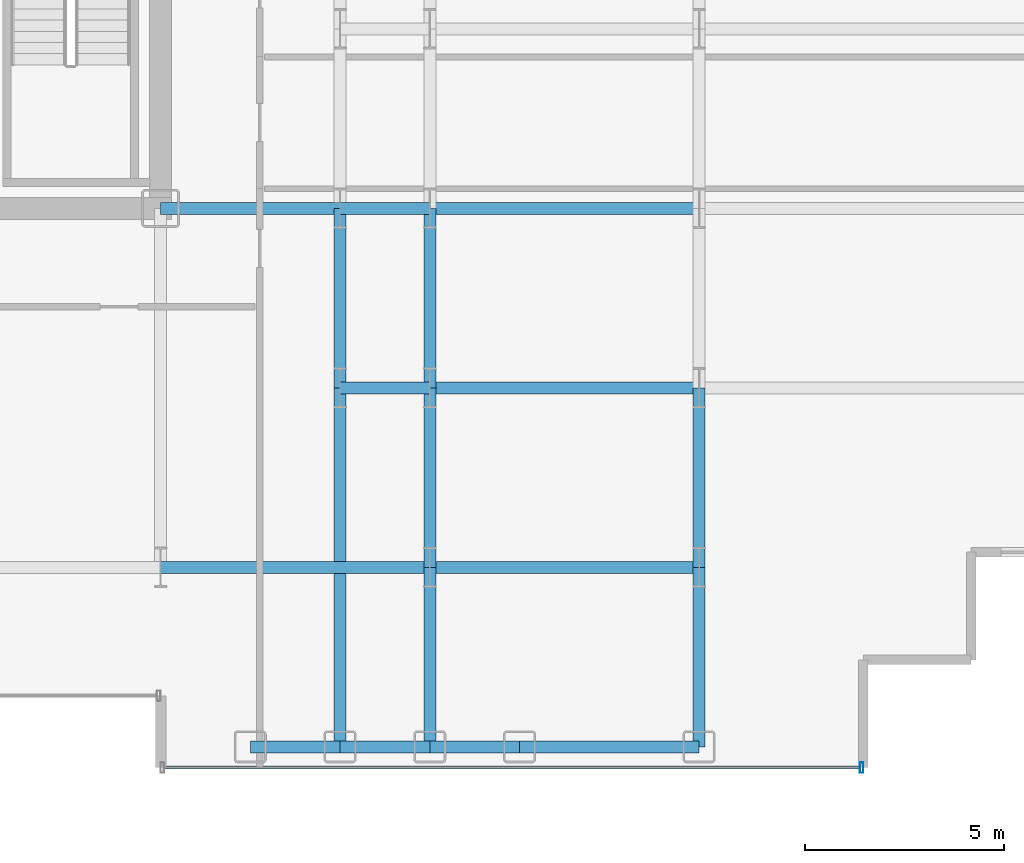
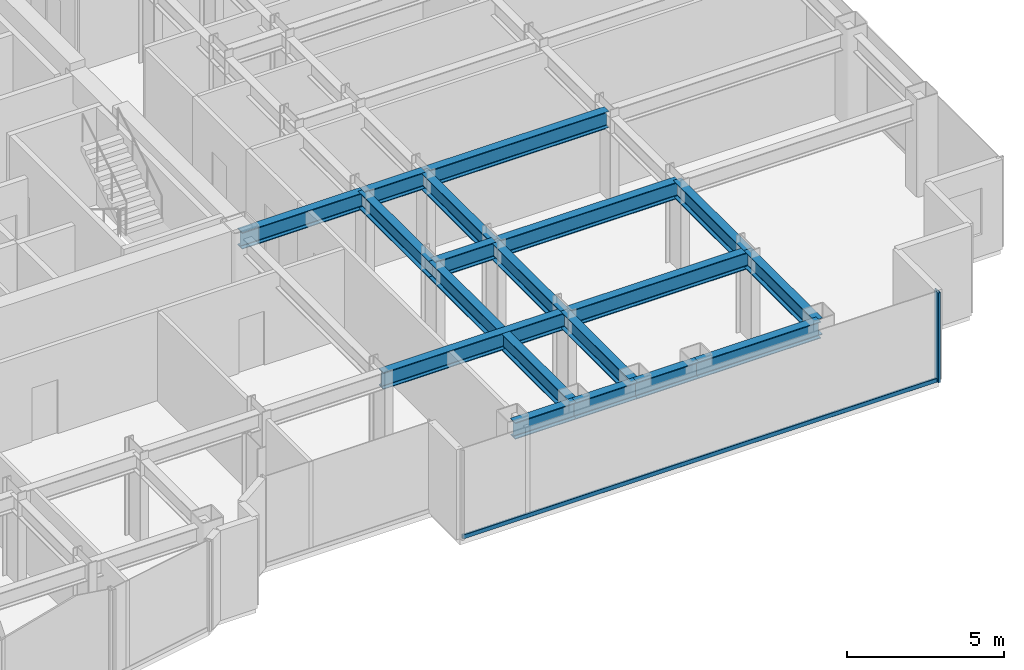
# One storey, part 7 of 26: 18 beams, 2 members, 1 element without a shape of its own.
"""IFC4 building model written with IfcOpenShell, lengths in metres."""

import ifcopenshell
import ifcopenshell.guid

model = None  # the IFC model being written
_history = None  # IfcOwnerHistory: only IFC2X3 demands one
_inside = {}  # id of a spatial element -> (the spatial element, [elements in it])
_under = {}  # id of a project, library or spatial element -> (it, [spatial elements below it])
_declared = {}  # id of a project -> (the project, [libraries it declares])
_typed = {}  # id of a type object -> (the type object, [elements of that type])
_made_of = {}  # id of a material, layer set ... -> (it, [elements and type objects made of it])


def new_model(schema):
    """Start an empty IFC model of exactly this schema.

    Asked for "IFC4X3", IfcOpenShell would pick the latest addendum, in which some entities
    have other attributes; the version numbers below select the first issue.
    IFC2X3 requires an IfcOwnerHistory on every rooted entity: one is made here for all.
    """
    global model, _history
    if schema == "IFC4X3":
        model = ifcopenshell.file(schema_version=(4, 3, 0, 0))
    else:
        model = ifcopenshell.file(schema=schema)
    _inside.clear()
    _under.clear()
    _declared.clear()
    _typed.clear()
    _made_of.clear()
    _history = None
    if model.schema == "IFC2X3":
        org = make("IfcOrganization", Name="unknown")
        user = make(
            "IfcPersonAndOrganization",
            ThePerson=make("IfcPerson", FamilyName="unknown"),
            TheOrganization=org,
        )
        app = make(
            "IfcApplication",
            ApplicationDeveloper=org,
            Version="unknown",
            ApplicationFullName="unknown",
            ApplicationIdentifier="unknown",
        )
        _history = make(
            "IfcOwnerHistory",
            OwningUser=user,
            OwningApplication=app,
            ChangeAction="ADDED",
            CreationDate=0,
        )
    return model


def make(cls, **values):
    """One entity of the class cls with the attributes given. An attribute that is None is left unset."""
    return model.create_entity(
        cls, **{name: value for name, value in values.items() if value is not None}
    )


def rooted(cls, **values):
    """An entity with a GlobalId (a new one), such as an element, a storey or a relation."""
    return make(cls, GlobalId=ifcopenshell.guid.new(), OwnerHistory=_history, **values)


def si_unit(unit_type, name, prefix=None):
    """IfcSIUnit, for example si_unit("LENGTHUNIT", "METRE", prefix="MILLI")."""
    return make("IfcSIUnit", UnitType=unit_type, Prefix=prefix, Name=name)


def assignment(units):
    """IfcUnitAssignment: the units of a project."""
    return None if units is None else make("IfcUnitAssignment", Units=units)


def point(xyz):
    """IfcCartesianPoint."""
    return None if xyz is None else make("IfcCartesianPoint", Coordinates=xyz)


def direction(xyz):
    """IfcDirection."""
    return None if xyz is None else make("IfcDirection", DirectionRatios=xyz)


def frame(location, z_axis=None, x_axis=None):
    """IfcAxis2Placement3D, a coordinate frame: its origin and axes. An axis left out is left unset."""
    return make(
        "IfcAxis2Placement3D",
        Location=point(location),
        Axis=direction(z_axis),
        RefDirection=direction(x_axis),
    )


def frame_2d(location, x_axis=None):
    """IfcAxis2Placement2D, a coordinate frame in the plane: its origin and x axis."""
    return make(
        "IfcAxis2Placement2D", Location=point(location), RefDirection=direction(x_axis)
    )


def origin():
    """The frame at (0, 0, 0) with its axes left unset."""
    return frame((0.0, 0.0, 0.0))


def origin_2d():
    """The frame at (0, 0) in the plane with its x axis left unset."""
    return frame_2d((0.0, 0.0))


def place(relative_to, where):
    """IfcLocalPlacement: puts the frame where relative to a parent placement (None: the world)."""
    return make(
        "IfcLocalPlacement", PlacementRelTo=relative_to, RelativePlacement=where
    )


def context(
    kind, dimensions, precision=None, world=None, true_north=None, identifier=None
):
    """IfcGeometricRepresentationContext, for example the 3D "Model" context."""
    return make(
        "IfcGeometricRepresentationContext",
        ContextIdentifier=identifier,
        ContextType=kind,
        CoordinateSpaceDimension=dimensions,
        Precision=precision,
        WorldCoordinateSystem=world,
        TrueNorth=true_north,
    )


def subcontext(parent, identifier, kind, view, scale=None):
    """IfcGeometricRepresentationSubContext, for example "Body" below "Model"."""
    return make(
        "IfcGeometricRepresentationSubContext",
        ContextIdentifier=identifier,
        ContextType=kind,
        ParentContext=parent,
        TargetScale=scale,
        TargetView=view,
    )


def project(units=None, contexts=None):
    """IfcProject with its units and contexts."""
    return rooted(
        "IfcProject",
        Name="project",
        RepresentationContexts=contexts,
        UnitsInContext=assignment(units),
    )


def spatial(cls, under=None, at=None, **own):
    """A site, building, storey or space (cls), placed at a placement, below another one or the project."""
    s = rooted(cls, ObjectPlacement=at, **own)
    if under is not None:
        _under.setdefault(under.id(), (under, []))[1].append(s)
    return s


def profile(cls, at=None, kind="AREA", **sizes):
    """A parametric profile (cls). Its sizes go by their IFC names, for example OverallWidth=200.0."""
    return make(cls, ProfileType=kind, Position=at, **sizes)


def hollow_rectangle(**sizes):
    """IfcRectangleHollowProfileDef."""
    return profile("IfcRectangleHollowProfileDef", **sizes)


def i_section(**sizes):
    """IfcIShapeProfileDef."""
    return profile("IfcIShapeProfileDef", **sizes)


def extrude(swept, where, along, depth):
    """IfcExtrudedAreaSolid: the profile swept, set in the frame where, extruded along a direction by depth."""
    return make(
        "IfcExtrudedAreaSolid",
        SweptArea=swept,
        Position=where,
        ExtrudedDirection=direction(along),
        Depth=depth,
    )


def shape(context_of_items, identifier, shape_type, items):
    """IfcShapeRepresentation: the items that make up one representation, for example the "Body"."""
    return make(
        "IfcShapeRepresentation",
        ContextOfItems=context_of_items,
        RepresentationIdentifier=identifier,
        RepresentationType=shape_type,
        Items=items,
    )


def source(mapping_origin, context_of_items, identifier, shape_type, items):
    """IfcRepresentationMap: a shape defined once, which mapped items show again and again."""
    return make(
        "IfcRepresentationMap",
        MappingOrigin=mapping_origin,
        MappedRepresentation=shape(context_of_items, identifier, shape_type, items),
    )


def transform(
    local_origin,
    x_axis=None,
    y_axis=None,
    z_axis=None,
    scale=None,
    scale2=None,
    scale3=None,
    uniform=True,
):
    """IfcCartesianTransformationOperator3D, or its non-uniform kind. x_axis, y_axis, z_axis: its Axis1, 2, 3."""
    if uniform:
        return make(
            "IfcCartesianTransformationOperator3D",
            Axis1=direction(x_axis),
            Axis2=direction(y_axis),
            LocalOrigin=point(local_origin),
            Scale=scale,
            Axis3=direction(z_axis),
        )
    return make(
        "IfcCartesianTransformationOperator3DnonUniform",
        Axis1=direction(x_axis),
        Axis2=direction(y_axis),
        LocalOrigin=point(local_origin),
        Scale=scale,
        Axis3=direction(z_axis),
        Scale2=scale2,
        Scale3=scale3,
    )


def mapped(mapping_source, mapping_target):
    """IfcMappedItem: shows the shape of a source again, moved by a transform."""
    return make(
        "IfcMappedItem", MappingSource=mapping_source, MappingTarget=mapping_target
    )


def material(Name=None, Category=None):
    """IfcMaterial."""
    return make("IfcMaterial", Name=Name, Category=Category)


def layer(
    of_material, thickness, ventilated=None, Name=None, Category=None, Priority=None
):
    """IfcMaterialLayer: one layer of a wall or slab, of a material (None: an air gap)."""
    return make(
        "IfcMaterialLayer",
        Material=of_material,
        LayerThickness=thickness,
        IsVentilated=ventilated,
        Name=Name,
        Category=Category,
        Priority=Priority,
    )


def layer_set(layers, Name=None):
    """IfcMaterialLayerSet."""
    return make("IfcMaterialLayerSet", MaterialLayers=layers, LayerSetName=Name)


def material_profile(
    of_material, cross_section, Name=None, Category=None, Priority=None
):
    """IfcMaterialProfile: a cross section and its material."""
    return make(
        "IfcMaterialProfile",
        Name=Name,
        Material=of_material,
        Profile=cross_section,
        Priority=Priority,
        Category=Category,
    )


def profile_set(profiles, Name=None, composite=None):
    """IfcMaterialProfileSet."""
    return make(
        "IfcMaterialProfileSet",
        Name=Name,
        MaterialProfiles=profiles,
        CompositeProfile=composite,
    )


def made_of(thing, what):
    """Note that an element or type object is made of a material, layer set ...; save() writes the relation."""
    if what is not None:
        _made_of.setdefault(what.id(), (what, []))[1].append(thing)
    return thing


def type_object(cls, material=None, **own):
    """A type object (cls), such as IfcWallType, which elements share."""
    return made_of(rooted(cls, **own), material)


def element(
    cls,
    number,
    at=None,
    inside=None,
    cuts=None,
    type_object=None,
    material=None,
    context=None,
    identifier="Body",
    shape_type=None,
    held_by="IfcProductDefinitionShape",
    body=None,
    shapes=None,
    **own,
):
    """One element of the class cls, such as IfcWall. Its Tag is "e" and its number.

    at: its placement. inside: the storey or other place that contains it. cuts: it is an
    opening in that element (IfcRelVoidsElement). A single representation is given by context,
    identifier, shape_type and body (its items); several are given by shapes. held_by: the class
    of the entity that holds the representations. save() writes the other relations.
    """
    e = rooted(cls, Tag="e%d" % number, ObjectPlacement=at, **own)
    if body is not None:
        shapes = [shape(context, identifier, shape_type, body)]
    if shapes is not None:
        e.Representation = make(held_by, Representations=shapes)
    if inside is not None:
        _inside.setdefault(inside.id(), (inside, []))[1].append(e)
    if cuts is not None:
        rooted(
            "IfcRelVoidsElement", RelatingBuildingElement=cuts, RelatedOpeningElement=e
        )
    if type_object is not None:
        _typed.setdefault(type_object.id(), (type_object, []))[1].append(e)
    return made_of(e, material)


def aggregate(whole, parts):
    """IfcRelAggregates: a whole, such as a stair, and the parts it consists of."""
    return rooted("IfcRelAggregates", RelatingObject=whole, RelatedObjects=parts)


def save(model, path):
    """Write the relations noted so far, then the file.

    IfcRelAggregates (storeys below a building ...), IfcRelContainedInSpatialStructure (elements
    in a storey), IfcRelDefinesByType, IfcRelAssociatesMaterial and IfcRelDeclares: one each for
    every whole, place, type object, material and project.
    """
    for whole, parts in _under.values():
        aggregate(whole, parts)
    for where, things in _inside.values():
        rooted(
            "IfcRelContainedInSpatialStructure",
            RelatedElements=things,
            RelatingStructure=where,
        )
    for kind, things in _typed.values():
        rooted("IfcRelDefinesByType", RelatedObjects=things, RelatingType=kind)
    for what, things in _made_of.values():
        rooted("IfcRelAssociatesMaterial", RelatedObjects=things, RelatingMaterial=what)
    for by, libraries in _declared.values():
        rooted("IfcRelDeclares", RelatingContext=by, RelatedDefinitions=libraries)
    model.write(path)


model = new_model("IFC4")

# Units and contexts
model_context = context("Model", 3, precision=1e-05, world=origin(), true_north=direction((0.0, 1.0)))
body_context = subcontext(model_context, "Body", "Model", "MODEL_VIEW")
ifc_project = project(units=[si_unit("LENGTHUNIT", "METRE"), si_unit("AREAUNIT", "SQUARE_METRE"), si_unit("VOLUMEUNIT", "CUBIC_METRE"), si_unit("PLANEANGLEUNIT", "RADIAN"), si_unit("MASSUNIT", "GRAM", prefix="KILO")], contexts=[model_context])

# Site, building, storey
site_placement = place(None, origin())
site = spatial("IfcSite", under=ifc_project, at=site_placement, CompositionType="ELEMENT")
building_placement = place(site_placement, origin())
building = spatial("IfcBuilding", under=site, at=building_placement, Name="Nefas-Gora Pilgrimage Tower", CompositionType="ELEMENT")
storey_placement = place(building_placement, frame((0.0, 0.0, 140.199951171875)))
storey = spatial("IfcBuildingStorey", under=building, at=storey_placement, Name="L34", CompositionType="ELEMENT", Elevation=140.199951171875)

# Beams
ifc_material_1 = material(Name="Steel S355", Category="steel")
ifc_material_profile_1 = material_profile(ifc_material_1, i_section(OverallWidth=0.300048828125, OverallDepth=0.64990234375, WebThickness=0.01611328125, FlangeThickness=0.031005859375, FilletRadius=0.027099609375, at=origin_2d()), Name="HEB 650")
ifc_profile_set_1 = profile_set([ifc_material_profile_1], Name="Steel S355")
beam_type_1 = type_object("IfcBeamType", Name="BM-SPN-HEB500", PredefinedType="SPANDREL", material=ifc_profile_set_1)
shared_shape_1 = source(origin(), body_context, "Body", "SweptSolid", [
    extrude(i_section(OverallWidth=0.300048828125, OverallDepth=0.64990234375, WebThickness=0.01611328125, FlangeThickness=0.031005859375, FilletRadius=0.027099609375, at=origin_2d()), origin(), (0.0, 0.0, 1.0), 4.5),
])
beam_1_placement = place(storey_placement, frame((20.25, -22.5, 3.175048828125), z_axis=(1.0, 0.0, 0.0), x_axis=(0.0, 1.0, 0.0)))
element("IfcBeam", 1, at=beam_1_placement, inside=storey, type_object=beam_type_1, Name="L34 SP-02 beam", PredefinedType="SPANDREL", context=body_context, shape_type="MappedRepresentation", body=[
    mapped(shared_shape_1, transform((0.0, 0.0, 0.0), x_axis=(1.0, 0.0, 0.0), y_axis=(0.0, 1.0, 0.0), z_axis=(0.0, 0.0, 1.0), scale=1.0)),
])
ifc_material_profile_2 = material_profile(ifc_material_1, i_section(OverallWidth=0.300048828125, OverallDepth=0.64990234375, WebThickness=0.01611328125, FlangeThickness=0.031005859375, FilletRadius=0.027099609375, at=origin_2d()), Name="HEB 650")
ifc_profile_set_2 = profile_set([ifc_material_profile_2], Name="Steel S355")
beam_type_2 = type_object("IfcBeamType", Name="BM-GIR-HEB650", PredefinedType="BEAM", material=ifc_profile_set_2)
shared_shape_2 = source(origin(), body_context, "Body", "SweptSolid", [
    extrude(i_section(OverallWidth=0.300048828125, OverallDepth=0.64990234375, WebThickness=0.01611328125, FlangeThickness=0.031005859375, FilletRadius=0.027099609375, at=origin_2d()), origin(), (0.0, 0.0, 1.0), 9.0),
])
beam_2_placement = place(storey_placement, frame((15.75, -22.5, 3.175048828125), z_axis=(0.0, 1.0, 0.0), x_axis=(-1.0, 0.0, 0.0)))
element("IfcBeam", 2, at=beam_2_placement, inside=storey, type_object=beam_type_2, Name="L34 G-03 beam", PredefinedType="BEAM", context=body_context, shape_type="MappedRepresentation", body=[
    mapped(shared_shape_2, transform((0.0, 0.0, 0.0), x_axis=(1.0, 0.0, 0.0), y_axis=(0.0, 1.0, 0.0), z_axis=(0.0, 0.0, 1.0), scale=1.0)),
])
shared_shape_3 = source(origin(), body_context, "Body", "SweptSolid", [
    extrude(i_section(OverallWidth=0.300048828125, OverallDepth=0.64990234375, WebThickness=0.01611328125, FlangeThickness=0.031005859375, FilletRadius=0.027099609375, at=origin_2d()), origin(), (0.0, 0.0, 1.0), 4.5),
])
for number, where, z_axis, x_axis, name in (
    (3, (11.25, -9.0, 3.175048828125), (1.0, 0.0, 0.0), (0.0, 1.0, 0.0), "L34 G-03 beam"),
    (4, (15.75, -13.5, 3.175048828125), (0.0, 1.0, 0.0), (-1.0, 0.0, 0.0), "L34 G-03 beam"),
    (5, (18.0, -22.5, 3.175048828125), (0.0, 1.0, 0.0), (-1.0, 0.0, 0.0), "L34 G-03 beam"),
    (6, (18.0, -18.0, 3.175048828125), (0.0, 1.0, 0.0), (-1.0, 0.0, 0.0), "L34 G-03 beam"),
    (7, (18.0, -13.5, 3.175048828125), (0.0, 1.0, 0.0), (-1.0, 0.0, 0.0), "L34 G-03 beam"),
    (8, (24.75, -22.5, 3.175048828125), (0.0, 1.0, 0.0), (-1.0, 0.0, 0.0), "L34 G-03 beam"),
    (9, (24.75, -18.0, 3.175048828125), (0.0, 1.0, 0.0), (-1.0, 0.0, 0.0), "L34 G-03 beam"),
):
    element("IfcBeam", number, at=place(storey_placement, frame(where, z_axis=z_axis, x_axis=x_axis)), inside=storey, type_object=beam_type_2, Name=name, PredefinedType="BEAM", context=body_context, shape_type="MappedRepresentation", body=[
        mapped(shared_shape_3, transform((0.0, 0.0, 0.0), x_axis=(1.0, 0.0, 0.0), y_axis=(0.0, 1.0, 0.0), z_axis=(0.0, 0.0, 1.0), scale=1.0)),
    ])
shared_shape_4 = source(origin(), body_context, "Body", "SweptSolid", [
    extrude(i_section(OverallWidth=0.300048828125, OverallDepth=0.64990234375, WebThickness=0.01611328125, FlangeThickness=0.031005859375, FilletRadius=0.027099609375, at=origin_2d()), origin(), (0.0, 0.0, 1.0), 6.75),
])
for number, where, z_axis, x_axis, name in (
    (10, (11.25, -18.0, 3.175048828125), (1.0, 0.0, 0.0), (0.0, 1.0, 0.0), "L34 G-03 beam"),
    (11, (18.0, -18.0, 3.175048828125), (1.0, 0.0, 0.0), (0.0, 1.0, 0.0), "L34 G-03 beam"),
    (12, (18.0, -13.5, 3.175048828125), (1.0, 0.0, 0.0), (0.0, 1.0, 0.0), "L34 G-03 beam"),
    (13, (18.0, -9.0, 3.175048828125), (1.0, 0.0, 0.0), (0.0, 1.0, 0.0), "L34 G-03 beam"),
):
    element("IfcBeam", number, at=place(storey_placement, frame(where, z_axis=z_axis, x_axis=x_axis)), inside=storey, type_object=beam_type_2, Name=name, PredefinedType="BEAM", context=body_context, shape_type="MappedRepresentation", body=[
        mapped(shared_shape_4, transform((0.0, 0.0, 0.0), x_axis=(1.0, 0.0, 0.0), y_axis=(0.0, 1.0, 0.0), z_axis=(0.0, 0.0, 1.0), scale=1.0)),
    ])
shared_shape_5 = source(origin(), body_context, "Body", "SweptSolid", [
    extrude(i_section(OverallWidth=0.300048828125, OverallDepth=0.64990234375, WebThickness=0.01611328125, FlangeThickness=0.031005859375, FilletRadius=0.027099609375, at=origin_2d()), origin(), (0.0, 0.0, 1.0), 2.25),
])
for number, where, z_axis, x_axis, name in (
    (14, (13.5, -22.5, 3.175048828125), (1.0, 0.0, 0.0), (0.0, 1.0, 0.0), "L34 SP-02 beam"),
    (15, (15.75, -22.5, 3.175048828125), (1.0, 0.0, 0.0), (0.0, 1.0, 0.0), "L34 SP-02 beam"),
    (16, (18.0, -22.5, 3.175048828125), (1.0, 0.0, 0.0), (0.0, 1.0, 0.0), "L34 SP-02 beam"),
):
    element("IfcBeam", number, at=place(storey_placement, frame(where, z_axis=z_axis, x_axis=x_axis)), inside=storey, type_object=beam_type_1, Name=name, PredefinedType="SPANDREL", context=body_context, shape_type="MappedRepresentation", body=[
        mapped(shared_shape_5, transform((0.0, 0.0, 0.0), x_axis=(1.0, 0.0, 0.0), y_axis=(0.0, 1.0, 0.0), z_axis=(0.0, 0.0, 1.0), scale=1.0)),
    ])
shared_shape_6 = source(origin(), body_context, "Body", "SweptSolid", [
    extrude(i_section(OverallWidth=0.300048828125, OverallDepth=0.64990234375, WebThickness=0.01611328125, FlangeThickness=0.031005859375, FilletRadius=0.027099609375, at=origin_2d()), origin(), (0.0, 0.0, 1.0), 2.25),
])
for number, where, z_axis, x_axis, name in (
    (17, (15.75, -13.5, 3.175048828125), (1.0, 0.0, 0.0), (0.0, 1.0, 0.0), "L34 G-03 beam"),
    (18, (15.75, -9.0, 3.175048828125), (1.0, 0.0, 0.0), (0.0, 1.0, 0.0), "L34 G-03 beam"),
):
    element("IfcBeam", number, at=place(storey_placement, frame(where, z_axis=z_axis, x_axis=x_axis)), inside=storey, type_object=beam_type_2, Name=name, PredefinedType="BEAM", context=body_context, shape_type="MappedRepresentation", body=[
        mapped(shared_shape_6, transform((0.0, 0.0, 0.0), x_axis=(1.0, 0.0, 0.0), y_axis=(0.0, 1.0, 0.0), z_axis=(0.0, 0.0, 1.0), scale=1.0)),
    ])

# Curtain wall, members
ifc_material_2 = material(Name="Dark ceramic-fritted solar-control aluminium-glass curtain wall", Category="aluminium")
ifc_layer = layer(ifc_material_2, 0.219970703125)
ifc_layer_set = layer_set([ifc_layer], Name="Dark ceramic-fritted solar-control aluminium-glass curtain wall")
curtain_wall_type = type_object("IfcCurtainWallType", Name="CW-SYS-2", PredefinedType="NOTDEFINED", material=ifc_layer_set)
curtain_wall_placement = place(storey_placement, origin())
curtain_wall = element("IfcCurtainWall", 19, at=curtain_wall_placement, inside=storey, type_object=curtain_wall_type, Name="L34 Unitised Curtain Wall CW2", PredefinedType="NOTDEFINED")
ifc_material_3 = material(Name="Anodised architectural aluminium", Category="aluminium")
ifc_material_profile_3 = material_profile(ifc_material_3, hollow_rectangle(XDim=0.080078125, YDim=0.159912109375, WallThickness=0.00439453125, InnerFilletRadius=0.00439453125, OuterFilletRadius=0.009033203125, at=origin_2d()), Name="ALU TRANSOM 80x160")
ifc_profile_set_3 = profile_set([ifc_material_profile_3], Name="Anodised architectural aluminium")
member_type_1 = type_object("IfcMemberType", Name="CWM-TRN-2", PredefinedType="USERDEFINED", material=ifc_profile_set_3)
shared_shape_7 = source(origin(), body_context, "Body", "SweptSolid", [
    extrude(hollow_rectangle(XDim=0.080078125, YDim=0.159912109375, WallThickness=0.00439453125, InnerFilletRadius=0.00439453125, OuterFilletRadius=0.009033203125, at=origin_2d()), origin(), (0.0, 0.0, 1.0), 17.43994140625),
])
member_1_placement = place(storey_placement, frame((11.340087890625, -23.02001953125, 0.050048828125), z_axis=(1.0, 0.0, 0.0), x_axis=(0.0, 1.0, 0.0)))
member_1 = element("IfcMember", 20, at=member_1_placement, type_object=member_type_1, Name="CW2 Spandrel Transom", ObjectType="TRANSOM", PredefinedType="USERDEFINED", context=body_context, shape_type="MappedRepresentation", body=[
    mapped(shared_shape_7, transform((0.0, 0.0, 0.0), x_axis=(1.0, 0.0, 0.0), y_axis=(0.0, 1.0, 0.0), z_axis=(0.0, 0.0, 1.0), scale=1.0)),
])
ifc_material_profile_4 = material_profile(ifc_material_3, hollow_rectangle(XDim=0.090087890625, YDim=0.260009765625, WallThickness=0.006103515625, InnerFilletRadius=0.006103515625, OuterFilletRadius=0.011962890625, at=origin_2d()), Name="ALU MULLION 90x260")
ifc_profile_set_4 = profile_set([ifc_material_profile_4], Name="Anodised architectural aluminium")
member_type_2 = type_object("IfcMemberType", Name="CWM-MUL-2", PredefinedType="MULLION", material=ifc_profile_set_4)
shared_shape_8 = source(origin(), body_context, "Body", "SweptSolid", [
    extrude(hollow_rectangle(XDim=0.090087890625, YDim=0.260009765625, WallThickness=0.006103515625, InnerFilletRadius=0.006103515625, OuterFilletRadius=0.011962890625, at=origin_2d()), origin(), (0.0, 0.0, 1.0), 3.5),
])
member_2_placement = place(storey_placement, frame((28.824951171875, -23.02001953125, 0.0), z_axis=(0.0, 0.0, 1.0), x_axis=(1.0, 0.0, 0.0)))
member_2 = element("IfcMember", 21, at=member_2_placement, type_object=member_type_2, Name="CW2 Mullion 2", PredefinedType="MULLION", context=body_context, shape_type="MappedRepresentation", body=[
    mapped(shared_shape_8, transform((0.0, 0.0, 0.0), x_axis=(1.0, 0.0, 0.0), y_axis=(0.0, 1.0, 0.0), z_axis=(0.0, 0.0, 1.0), scale=1.0)),
])
aggregate(curtain_wall, [member_2, member_1])

save(model, "model.ifc")
